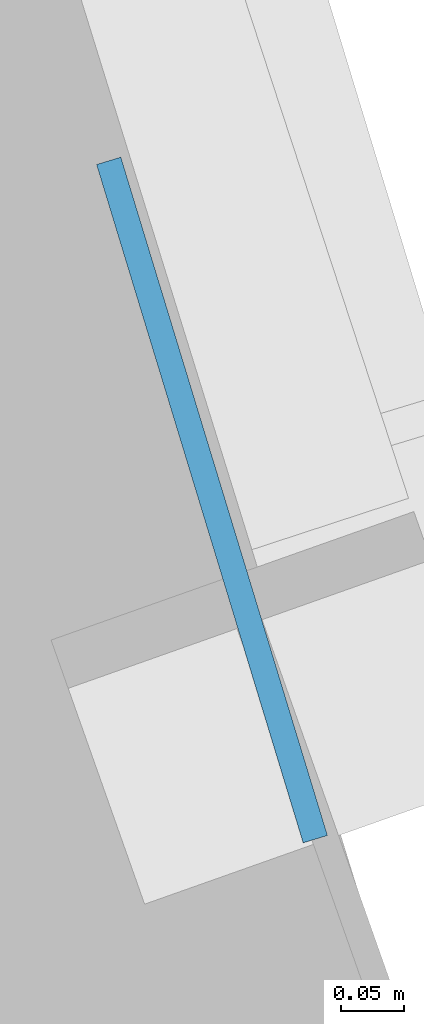
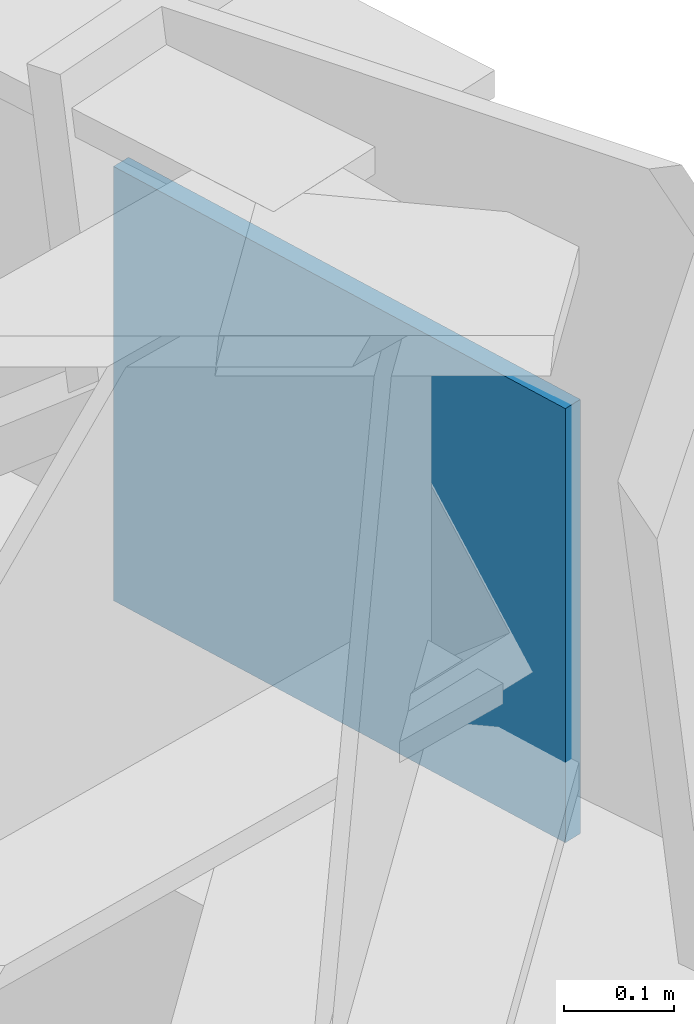
# One storey, part 11 of 21: 1 plate.
"""IFC4 building model written with IfcOpenShell, lengths in metres."""

import ifcopenshell
import ifcopenshell.guid

model = None  # the IFC model being written
_history = None  # IfcOwnerHistory: only IFC2X3 demands one
_inside = {}  # id of a spatial element -> (the spatial element, [elements in it])
_under = {}  # id of a project, library or spatial element -> (it, [spatial elements below it])
_declared = {}  # id of a project -> (the project, [libraries it declares])
_typed = {}  # id of a type object -> (the type object, [elements of that type])
_made_of = {}  # id of a material, layer set ... -> (it, [elements and type objects made of it])


def new_model(schema):
    """Start an empty IFC model of exactly this schema.

    Asked for "IFC4X3", IfcOpenShell would pick the latest addendum, in which some entities
    have other attributes; the version numbers below select the first issue.
    IFC2X3 requires an IfcOwnerHistory on every rooted entity: one is made here for all.
    """
    global model, _history
    if schema == "IFC4X3":
        model = ifcopenshell.file(schema_version=(4, 3, 0, 0))
    else:
        model = ifcopenshell.file(schema=schema)
    _inside.clear()
    _under.clear()
    _declared.clear()
    _typed.clear()
    _made_of.clear()
    _history = None
    if model.schema == "IFC2X3":
        org = make("IfcOrganization", Name="unknown")
        user = make(
            "IfcPersonAndOrganization",
            ThePerson=make("IfcPerson", FamilyName="unknown"),
            TheOrganization=org,
        )
        app = make(
            "IfcApplication",
            ApplicationDeveloper=org,
            Version="unknown",
            ApplicationFullName="unknown",
            ApplicationIdentifier="unknown",
        )
        _history = make(
            "IfcOwnerHistory",
            OwningUser=user,
            OwningApplication=app,
            ChangeAction="ADDED",
            CreationDate=0,
        )
    return model


def make(cls, **values):
    """One entity of the class cls with the attributes given. An attribute that is None is left unset."""
    return model.create_entity(
        cls, **{name: value for name, value in values.items() if value is not None}
    )


def rooted(cls, **values):
    """An entity with a GlobalId (a new one), such as an element, a storey or a relation."""
    return make(cls, GlobalId=ifcopenshell.guid.new(), OwnerHistory=_history, **values)


def si_unit(unit_type, name, prefix=None):
    """IfcSIUnit, for example si_unit("LENGTHUNIT", "METRE", prefix="MILLI")."""
    return make("IfcSIUnit", UnitType=unit_type, Prefix=prefix, Name=name)


def assignment(units):
    """IfcUnitAssignment: the units of a project."""
    return None if units is None else make("IfcUnitAssignment", Units=units)


def point(xyz):
    """IfcCartesianPoint."""
    return None if xyz is None else make("IfcCartesianPoint", Coordinates=xyz)


def direction(xyz):
    """IfcDirection."""
    return None if xyz is None else make("IfcDirection", DirectionRatios=xyz)


def frame(location, z_axis=None, x_axis=None):
    """IfcAxis2Placement3D, a coordinate frame: its origin and axes. An axis left out is left unset."""
    return make(
        "IfcAxis2Placement3D",
        Location=point(location),
        Axis=direction(z_axis),
        RefDirection=direction(x_axis),
    )


def frame_2d(location, x_axis=None):
    """IfcAxis2Placement2D, a coordinate frame in the plane: its origin and x axis."""
    return make(
        "IfcAxis2Placement2D", Location=point(location), RefDirection=direction(x_axis)
    )


def origin():
    """The frame at (0, 0, 0) with its axes left unset."""
    return frame((0.0, 0.0, 0.0))


def origin_2d():
    """The frame at (0, 0) in the plane with its x axis left unset."""
    return frame_2d((0.0, 0.0))


def place(relative_to, where):
    """IfcLocalPlacement: puts the frame where relative to a parent placement (None: the world)."""
    return make(
        "IfcLocalPlacement", PlacementRelTo=relative_to, RelativePlacement=where
    )


def context(
    kind, dimensions, precision=None, world=None, true_north=None, identifier=None
):
    """IfcGeometricRepresentationContext, for example the 3D "Model" context."""
    return make(
        "IfcGeometricRepresentationContext",
        ContextIdentifier=identifier,
        ContextType=kind,
        CoordinateSpaceDimension=dimensions,
        Precision=precision,
        WorldCoordinateSystem=world,
        TrueNorth=true_north,
    )


def subcontext(parent, identifier, kind, view, scale=None):
    """IfcGeometricRepresentationSubContext, for example "Body" below "Model"."""
    return make(
        "IfcGeometricRepresentationSubContext",
        ContextIdentifier=identifier,
        ContextType=kind,
        ParentContext=parent,
        TargetScale=scale,
        TargetView=view,
    )


def project(units=None, contexts=None):
    """IfcProject with its units and contexts."""
    return rooted(
        "IfcProject",
        Name="project",
        RepresentationContexts=contexts,
        UnitsInContext=assignment(units),
    )


def spatial(cls, under=None, at=None, **own):
    """A site, building, storey or space (cls), placed at a placement, below another one or the project."""
    s = rooted(cls, ObjectPlacement=at, **own)
    if under is not None:
        _under.setdefault(under.id(), (under, []))[1].append(s)
    return s


def profile(cls, at=None, kind="AREA", **sizes):
    """A parametric profile (cls). Its sizes go by their IFC names, for example OverallWidth=200.0."""
    return make(cls, ProfileType=kind, Position=at, **sizes)


def rectangle(**sizes):
    """IfcRectangleProfileDef."""
    return profile("IfcRectangleProfileDef", **sizes)


def extrude(swept, where, along, depth):
    """IfcExtrudedAreaSolid: the profile swept, set in the frame where, extruded along a direction by depth."""
    return make(
        "IfcExtrudedAreaSolid",
        SweptArea=swept,
        Position=where,
        ExtrudedDirection=direction(along),
        Depth=depth,
    )


def shape(context_of_items, identifier, shape_type, items):
    """IfcShapeRepresentation: the items that make up one representation, for example the "Body"."""
    return make(
        "IfcShapeRepresentation",
        ContextOfItems=context_of_items,
        RepresentationIdentifier=identifier,
        RepresentationType=shape_type,
        Items=items,
    )


def source(mapping_origin, context_of_items, identifier, shape_type, items):
    """IfcRepresentationMap: a shape defined once, which mapped items show again and again."""
    return make(
        "IfcRepresentationMap",
        MappingOrigin=mapping_origin,
        MappedRepresentation=shape(context_of_items, identifier, shape_type, items),
    )


def transform(
    local_origin,
    x_axis=None,
    y_axis=None,
    z_axis=None,
    scale=None,
    scale2=None,
    scale3=None,
    uniform=True,
):
    """IfcCartesianTransformationOperator3D, or its non-uniform kind. x_axis, y_axis, z_axis: its Axis1, 2, 3."""
    if uniform:
        return make(
            "IfcCartesianTransformationOperator3D",
            Axis1=direction(x_axis),
            Axis2=direction(y_axis),
            LocalOrigin=point(local_origin),
            Scale=scale,
            Axis3=direction(z_axis),
        )
    return make(
        "IfcCartesianTransformationOperator3DnonUniform",
        Axis1=direction(x_axis),
        Axis2=direction(y_axis),
        LocalOrigin=point(local_origin),
        Scale=scale,
        Axis3=direction(z_axis),
        Scale2=scale2,
        Scale3=scale3,
    )


def mapped(mapping_source, mapping_target):
    """IfcMappedItem: shows the shape of a source again, moved by a transform."""
    return make(
        "IfcMappedItem", MappingSource=mapping_source, MappingTarget=mapping_target
    )


def material(Name=None, Category=None):
    """IfcMaterial."""
    return make("IfcMaterial", Name=Name, Category=Category)


def made_of(thing, what):
    """Note that an element or type object is made of a material, layer set ...; save() writes the relation."""
    if what is not None:
        _made_of.setdefault(what.id(), (what, []))[1].append(thing)
    return thing


def type_object(cls, material=None, **own):
    """A type object (cls), such as IfcWallType, which elements share."""
    return made_of(rooted(cls, **own), material)


def element(
    cls,
    number,
    at=None,
    inside=None,
    cuts=None,
    type_object=None,
    material=None,
    context=None,
    identifier="Body",
    shape_type=None,
    held_by="IfcProductDefinitionShape",
    body=None,
    shapes=None,
    **own,
):
    """One element of the class cls, such as IfcWall. Its Tag is "e" and its number.

    at: its placement. inside: the storey or other place that contains it. cuts: it is an
    opening in that element (IfcRelVoidsElement). A single representation is given by context,
    identifier, shape_type and body (its items); several are given by shapes. held_by: the class
    of the entity that holds the representations. save() writes the other relations.
    """
    e = rooted(cls, Tag="e%d" % number, ObjectPlacement=at, **own)
    if body is not None:
        shapes = [shape(context, identifier, shape_type, body)]
    if shapes is not None:
        e.Representation = make(held_by, Representations=shapes)
    if inside is not None:
        _inside.setdefault(inside.id(), (inside, []))[1].append(e)
    if cuts is not None:
        rooted(
            "IfcRelVoidsElement", RelatingBuildingElement=cuts, RelatedOpeningElement=e
        )
    if type_object is not None:
        _typed.setdefault(type_object.id(), (type_object, []))[1].append(e)
    return made_of(e, material)


def aggregate(whole, parts):
    """IfcRelAggregates: a whole, such as a stair, and the parts it consists of."""
    return rooted("IfcRelAggregates", RelatingObject=whole, RelatedObjects=parts)


def save(model, path):
    """Write the relations noted so far, then the file.

    IfcRelAggregates (storeys below a building ...), IfcRelContainedInSpatialStructure (elements
    in a storey), IfcRelDefinesByType, IfcRelAssociatesMaterial and IfcRelDeclares: one each for
    every whole, place, type object, material and project.
    """
    for whole, parts in _under.values():
        aggregate(whole, parts)
    for where, things in _inside.values():
        rooted(
            "IfcRelContainedInSpatialStructure",
            RelatedElements=things,
            RelatingStructure=where,
        )
    for kind, things in _typed.values():
        rooted("IfcRelDefinesByType", RelatedObjects=things, RelatingType=kind)
    for what, things in _made_of.values():
        rooted("IfcRelAssociatesMaterial", RelatedObjects=things, RelatingMaterial=what)
    for by, libraries in _declared.values():
        rooted("IfcRelDeclares", RelatingContext=by, RelatedDefinitions=libraries)
    model.write(path)


model = new_model("IFC4")

# Units and contexts
model_context = context("Model", 3, precision=1e-05, world=origin(), true_north=direction((0.0, 1.0)))
body_context = subcontext(model_context, "Body", "Model", "MODEL_VIEW")
ifc_project = project(units=[si_unit("LENGTHUNIT", "METRE"), si_unit("AREAUNIT", "SQUARE_METRE"), si_unit("VOLUMEUNIT", "CUBIC_METRE"), si_unit("PLANEANGLEUNIT", "RADIAN"), si_unit("MASSUNIT", "GRAM", prefix="KILO")], contexts=[model_context])

# Site, building, storey
site_placement = place(None, origin())
site = spatial("IfcSite", under=ifc_project, at=site_placement, CompositionType="ELEMENT")
building_placement = place(site_placement, origin())
building = spatial("IfcBuilding", under=site, at=building_placement, Name="Olszyna Solenne Hotel", CompositionType="ELEMENT")
storey_placement = place(building_placement, frame((0.0, 0.0, 105.699951171875)))
storey = spatial("IfcBuildingStorey", under=building, at=storey_placement, Name="L27", CompositionType="ELEMENT", Elevation=105.699951171875)

# Plate
ifc_material = material(Name="Steel S355J2", Category="steel")
plate_type = type_object("IfcPlateType", Name="GP-ND2", PredefinedType="USERDEFINED", material=ifc_material)
shared_shape = source(origin(), body_context, "Body", "SweptSolid", [
    extrude(rectangle(XDim=0.56005859375, YDim=0.02001953125, at=origin_2d()), origin(), (0.0, 0.0, 1.0), 0.47998046875),
])
plate_placement = place(storey_placement, frame((67.060302734375, 34.31689453125, 2.64013671875), z_axis=(0.0, 0.0, 1.0), x_axis=(0.291370104596, -0.956610402488, 0.0)))
element("IfcPlate", 1, at=plate_placement, inside=storey, type_object=plate_type, Name="Brace end connection gusset plate GP-ND2 EP-BR-L27-1-2", ObjectType="GUSSET_PLATE", PredefinedType="USERDEFINED", context=body_context, shape_type="MappedRepresentation", body=[
    mapped(shared_shape, transform((0.0, 0.0, 0.0), x_axis=(1.0, 0.0, 0.0), y_axis=(0.0, 1.0, 0.0), z_axis=(0.0, 0.0, 1.0), scale=1.0)),
])

save(model, "model.ifc")
